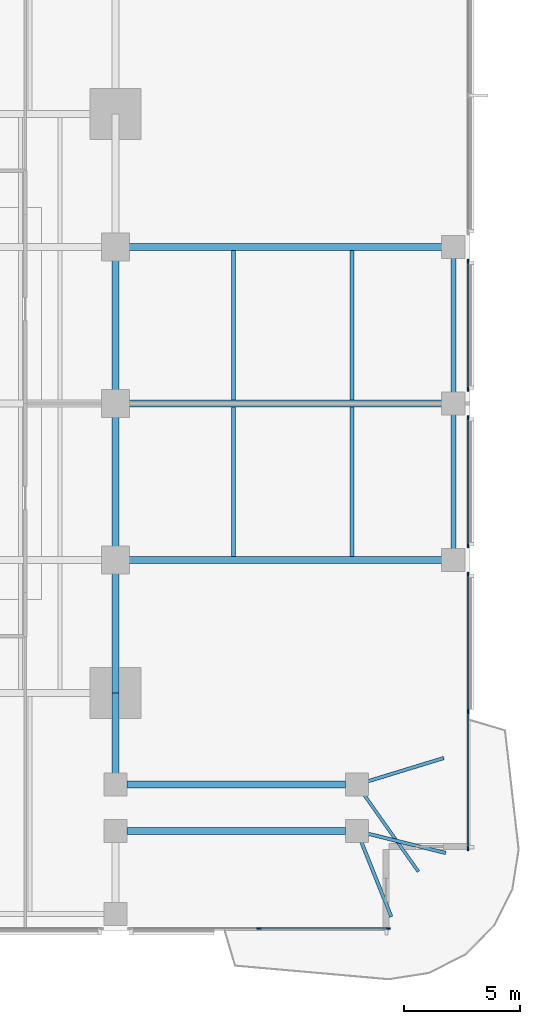
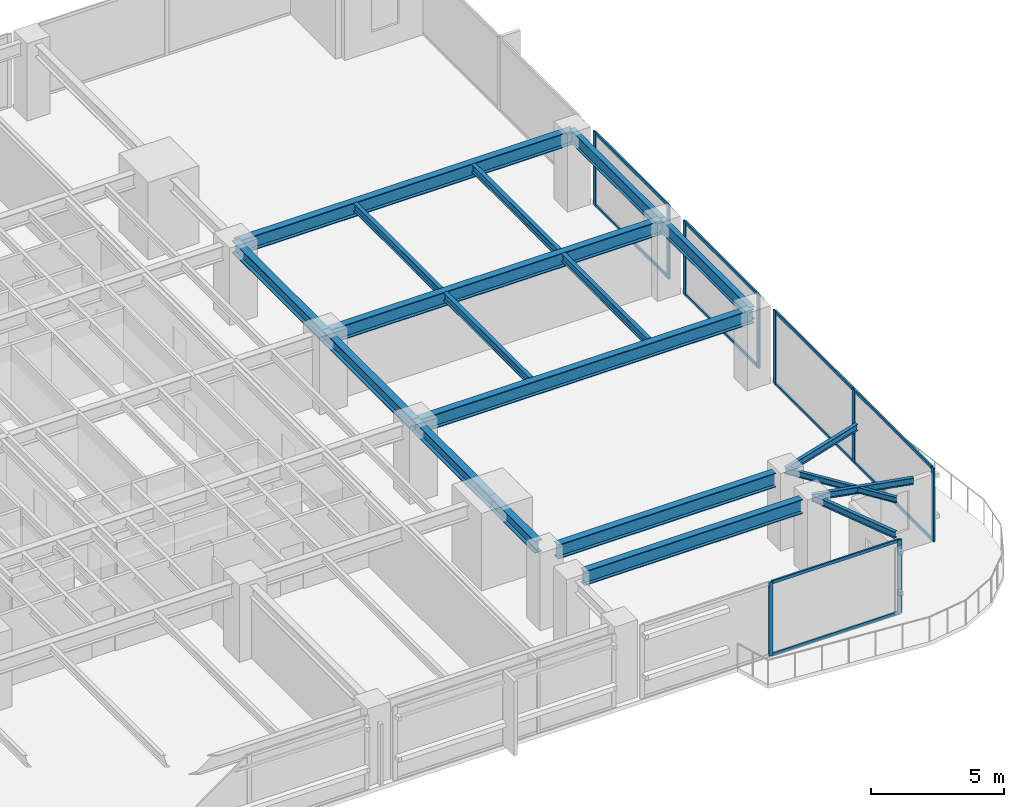
# One storey, part 4 of 15: 19 beams, 19 members, 4 elements without a shape of their own.
"""IFC4 building model written with IfcOpenShell, lengths in metres."""

from ifc_helpers import new_model, si_unit, direction, frame, origin, origin_2d, place, context, subcontext, project, spatial, rectangle, i_section, extrude, material, layer, layer_set, material_profile, profile_set, type_object, element, aggregate, save


model = new_model("IFC4")

# Units and contexts
model_context = context("Model", 3, precision=1e-05, world=origin(), true_north=direction((0.0, 1.0)))
body_context = subcontext(model_context, "Body", "Model", "MODEL_VIEW")
ifc_project = project(units=[si_unit("LENGTHUNIT", "METRE"), si_unit("AREAUNIT", "SQUARE_METRE"), si_unit("VOLUMEUNIT", "CUBIC_METRE"), si_unit("PLANEANGLEUNIT", "RADIAN"), si_unit("MASSUNIT", "GRAM", prefix="KILO")], contexts=[model_context])

# Site, building, storey
site_placement = place(None, origin())
site = spatial("IfcSite", under=ifc_project, at=site_placement, CompositionType="ELEMENT")
building_placement = place(site_placement, origin())
building = spatial("IfcBuilding", under=site, at=building_placement, Name="Kinhvarn Gate Tower", CompositionType="ELEMENT")
storey_placement = place(building_placement, frame((0.0, 0.0, 39.800048828125)))
storey = spatial("IfcBuildingStorey", under=building, at=storey_placement, Name="L09", CompositionType="ELEMENT", Elevation=39.800048828125)

# Curtain wall, members
ifc_material_1 = material(Name="Anodised aluminium AW-6063", Category="aluminium")
ifc_layer = layer(ifc_material_1, 0.179931640625)
ifc_layer_set = layer_set([ifc_layer], Name="Anodised aluminium AW-6063")
curtain_wall_type = type_object("IfcCurtainWallType", Name="CW-SYS-2", PredefinedType="NOTDEFINED", material=ifc_layer_set)
curtain_wall_1_placement = place(storey_placement, origin())
curtain_wall_1 = element("IfcCurtainWall", 1, at=curtain_wall_1_placement, inside=storey, type_object=curtain_wall_type, Name="Curtain Wall CW2 (L09)", PredefinedType="NOTDEFINED")
ifc_material_profile_1 = material_profile(ifc_material_1, rectangle(XDim=0.070068359375, YDim=0.179931640625, at=origin_2d()), Name="ALU 70x180")
ifc_profile_set_1 = profile_set([ifc_material_profile_1], Name="Anodised aluminium AW-6063")
member_type_1 = type_object("IfcMemberType", Name="CW-MUL-180", PredefinedType="MULLION", material=ifc_profile_set_1)
member_1_placement = place(storey_placement, frame((44.389892578125, 2.590087890625, 0.0), z_axis=(0.0, 0.0, 1.0), x_axis=(0.0, 1.0, 0.0)))
member_1 = element("IfcMember", 2, at=member_1_placement, type_object=member_type_1, Name="CW2 mullion 2", PredefinedType="MULLION", context=body_context, shape_type="SweptSolid", body=[
    extrude(rectangle(XDim=0.070068359375, YDim=0.179931640625, at=origin_2d()), origin(), (0.0, 0.0, 1.0), 3.369873046875),
])
member_2_placement = place(storey_placement, frame((49.965087890625, 2.590087890625, 0.0), z_axis=(0.0, 0.0, 1.0), x_axis=(0.0, 1.0, 0.0)))
member_2 = element("IfcMember", 3, at=member_2_placement, type_object=member_type_1, Name="CW2 mullion 3", PredefinedType="MULLION", context=body_context, shape_type="SweptSolid", body=[
    extrude(rectangle(XDim=0.070068359375, YDim=0.179931640625, at=origin_2d()), origin(), (0.0, 0.0, 1.0), 3.369873046875),
])

curtain_wall_2_placement = place(storey_placement, origin())
curtain_wall_2 = element("IfcCurtainWall", 4, at=curtain_wall_2_placement, inside=storey, type_object=curtain_wall_type, Name="Curtain Wall CW2 (L09)", PredefinedType="NOTDEFINED")
member_3_placement = place(storey_placement, frame((53.409912109375, 6.034912109375, 0.0), z_axis=(0.0, 0.0, 1.0), x_axis=(-1.0, 0.0, 0.0)))
member_3 = element("IfcMember", 5, at=member_3_placement, type_object=member_type_1, Name="CW2 mullion 1", PredefinedType="MULLION", context=body_context, shape_type="SweptSolid", body=[
    extrude(rectangle(XDim=0.070068359375, YDim=0.179931640625, at=origin_2d()), origin(), (0.0, 0.0, 1.0), 3.369873046875),
])
member_4_placement = place(storey_placement, frame((53.409912109375, 11.9599609375, 0.0), z_axis=(0.0, 0.0, 1.0), x_axis=(-1.0, 0.0, 0.0)))
member_4 = element("IfcMember", 6, at=member_4_placement, type_object=member_type_1, Name="CW2 mullion 2", PredefinedType="MULLION", context=body_context, shape_type="SweptSolid", body=[
    extrude(rectangle(XDim=0.070068359375, YDim=0.179931640625, at=origin_2d()), origin(), (0.0, 0.0, 1.0), 3.369873046875),
])
member_5_placement = place(storey_placement, frame((53.409912109375, 17.885009765625, 0.0), z_axis=(0.0, 0.0, 1.0), x_axis=(-1.0, 0.0, 0.0)))
member_5 = element("IfcMember", 7, at=member_5_placement, type_object=member_type_1, Name="CW2 mullion 3", PredefinedType="MULLION", context=body_context, shape_type="SweptSolid", body=[
    extrude(rectangle(XDim=0.070068359375, YDim=0.179931640625, at=origin_2d()), origin(), (0.0, 0.0, 1.0), 3.369873046875),
])

curtain_wall_3_placement = place(storey_placement, origin())
curtain_wall_3 = element("IfcCurtainWall", 8, at=curtain_wall_3_placement, inside=storey, type_object=curtain_wall_type, Name="Curtain Wall CW2 (L09)", PredefinedType="NOTDEFINED")
member_6_placement = place(storey_placement, frame((53.409912109375, 19.114990234375, 0.0), z_axis=(0.0, 0.0, 1.0), x_axis=(-1.0, 0.0, 0.0)))
member_6 = element("IfcMember", 9, at=member_6_placement, type_object=member_type_1, Name="CW2 mullion 1", PredefinedType="MULLION", context=body_context, shape_type="SweptSolid", body=[
    extrude(rectangle(XDim=0.070068359375, YDim=0.179931640625, at=origin_2d()), origin(), (0.0, 0.0, 1.0), 3.369873046875),
])
member_7_placement = place(storey_placement, frame((53.409912109375, 24.635009765625, 0.0), z_axis=(0.0, 0.0, 1.0), x_axis=(-1.0, 0.0, 0.0)))
member_7 = element("IfcMember", 10, at=member_7_placement, type_object=member_type_1, Name="CW2 mullion 2", PredefinedType="MULLION", context=body_context, shape_type="SweptSolid", body=[
    extrude(rectangle(XDim=0.070068359375, YDim=0.179931640625, at=origin_2d()), origin(), (0.0, 0.0, 1.0), 3.369873046875),
])

curtain_wall_4_placement = place(storey_placement, origin())
curtain_wall_4 = element("IfcCurtainWall", 11, at=curtain_wall_4_placement, inside=storey, type_object=curtain_wall_type, Name="Curtain Wall CW2 (L09)", PredefinedType="NOTDEFINED")
member_8_placement = place(storey_placement, frame((53.409912109375, 25.864990234375, 0.0), z_axis=(0.0, 0.0, 1.0), x_axis=(-1.0, 0.0, 0.0)))
member_8 = element("IfcMember", 12, at=member_8_placement, type_object=member_type_1, Name="CW2 mullion 1", PredefinedType="MULLION", context=body_context, shape_type="SweptSolid", body=[
    extrude(rectangle(XDim=0.070068359375, YDim=0.179931640625, at=origin_2d()), origin(), (0.0, 0.0, 1.0), 3.369873046875),
])
member_9_placement = place(storey_placement, frame((53.409912109375, 31.385009765625, 0.0), z_axis=(0.0, 0.0, 1.0), x_axis=(-1.0, 0.0, 0.0)))
member_9 = element("IfcMember", 13, at=member_9_placement, type_object=member_type_1, Name="CW2 mullion 2", PredefinedType="MULLION", context=body_context, shape_type="SweptSolid", body=[
    extrude(rectangle(XDim=0.070068359375, YDim=0.179931640625, at=origin_2d()), origin(), (0.0, 0.0, 1.0), 3.369873046875),
])

# Member
ifc_material_profile_2 = material_profile(ifc_material_1, rectangle(XDim=0.070068359375, YDim=0.139892578125, at=origin_2d()), Name="ALU 70x140")
ifc_profile_set_2 = profile_set([ifc_material_profile_2], Name="Anodised aluminium AW-6063")
member_type_2 = type_object("IfcMemberType", Name="CW-TRN-140", PredefinedType="USERDEFINED", material=ifc_profile_set_2)
member_10_placement = place(storey_placement, frame((44.425048828125, 2.590087890625, 0.034912109375), z_axis=(1.0, 0.0, 0.0), x_axis=(0.0, 1.0, 0.0)))
member_10 = element("IfcMember", 14, at=member_10_placement, type_object=member_type_2, Name="CW2 transom 2.1", ObjectType="TRANSOM", PredefinedType="USERDEFINED", context=body_context, shape_type="SweptSolid", body=[
    extrude(rectangle(XDim=0.070068359375, YDim=0.139892578125, at=origin_2d()), origin(), (0.0, 0.0, 1.0), 5.5048828125),
])

member_11_placement = place(storey_placement, frame((44.425048828125, 2.590087890625, 3.3349609375), z_axis=(1.0, 0.0, 0.0), x_axis=(0.0, 1.0, 0.0)))
member_11 = element("IfcMember", 15, at=member_11_placement, type_object=member_type_2, Name="CW2 transom 2.2", ObjectType="TRANSOM", PredefinedType="USERDEFINED", context=body_context, shape_type="SweptSolid", body=[
    extrude(rectangle(XDim=0.070068359375, YDim=0.139892578125, at=origin_2d()), origin(), (0.0, 0.0, 1.0), 5.5048828125),
])

aggregate(curtain_wall_1, [member_1, member_2, member_10, member_11])

member_12_placement = place(storey_placement, frame((53.409912109375, 6.070068359375, 0.034912109375), z_axis=(0.0, 1.0, 0.0), x_axis=(-1.0, 0.0, 0.0)))
member_12 = element("IfcMember", 16, at=member_12_placement, type_object=member_type_2, Name="CW2 transom 1.1", ObjectType="TRANSOM", PredefinedType="USERDEFINED", context=body_context, shape_type="SweptSolid", body=[
    extrude(rectangle(XDim=0.070068359375, YDim=0.139892578125, at=origin_2d()), origin(), (0.0, 0.0, 1.0), 5.85498046875),
])

member_13_placement = place(storey_placement, frame((53.409912109375, 6.070068359375, 3.3349609375), z_axis=(0.0, 1.0, 0.0), x_axis=(-1.0, 0.0, 0.0)))
member_13 = element("IfcMember", 17, at=member_13_placement, type_object=member_type_2, Name="CW2 transom 1.2", ObjectType="TRANSOM", PredefinedType="USERDEFINED", context=body_context, shape_type="SweptSolid", body=[
    extrude(rectangle(XDim=0.070068359375, YDim=0.139892578125, at=origin_2d()), origin(), (0.0, 0.0, 1.0), 5.85498046875),
])

member_14_placement = place(storey_placement, frame((53.409912109375, 11.9951171875, 0.034912109375), z_axis=(0.0, 1.0, 0.0), x_axis=(-1.0, 0.0, 0.0)))
member_14 = element("IfcMember", 18, at=member_14_placement, type_object=member_type_2, Name="CW2 transom 2.1", ObjectType="TRANSOM", PredefinedType="USERDEFINED", context=body_context, shape_type="SweptSolid", body=[
    extrude(rectangle(XDim=0.070068359375, YDim=0.139892578125, at=origin_2d()), origin(), (0.0, 0.0, 1.0), 5.85498046875),
])

member_15_placement = place(storey_placement, frame((53.409912109375, 11.9951171875, 3.3349609375), z_axis=(0.0, 1.0, 0.0), x_axis=(-1.0, 0.0, 0.0)))
member_15 = element("IfcMember", 19, at=member_15_placement, type_object=member_type_2, Name="CW2 transom 2.2", ObjectType="TRANSOM", PredefinedType="USERDEFINED", context=body_context, shape_type="SweptSolid", body=[
    extrude(rectangle(XDim=0.070068359375, YDim=0.139892578125, at=origin_2d()), origin(), (0.0, 0.0, 1.0), 5.85498046875),
])

aggregate(curtain_wall_2, [member_3, member_4, member_5, member_12, member_13, member_14, member_15])

member_16_placement = place(storey_placement, frame((53.409912109375, 19.14990234375, 0.034912109375), z_axis=(0.0, 1.0, 0.0), x_axis=(-1.0, 0.0, 0.0)))
member_16 = element("IfcMember", 20, at=member_16_placement, type_object=member_type_2, Name="CW2 transom 1.1", ObjectType="TRANSOM", PredefinedType="USERDEFINED", context=body_context, shape_type="SweptSolid", body=[
    extrude(rectangle(XDim=0.070068359375, YDim=0.139892578125, at=origin_2d()), origin(), (0.0, 0.0, 1.0), 5.4501953125),
])

member_17_placement = place(storey_placement, frame((53.409912109375, 19.14990234375, 3.3349609375), z_axis=(0.0, 1.0, 0.0), x_axis=(-1.0, 0.0, 0.0)))
member_17 = element("IfcMember", 21, at=member_17_placement, type_object=member_type_2, Name="CW2 transom 1.2", ObjectType="TRANSOM", PredefinedType="USERDEFINED", context=body_context, shape_type="SweptSolid", body=[
    extrude(rectangle(XDim=0.070068359375, YDim=0.139892578125, at=origin_2d()), origin(), (0.0, 0.0, 1.0), 5.4501953125),
])

aggregate(curtain_wall_3, [member_6, member_7, member_16, member_17])

member_18_placement = place(storey_placement, frame((53.409912109375, 25.89990234375, 0.034912109375), z_axis=(0.0, 1.0, 0.0), x_axis=(-1.0, 0.0, 0.0)))
member_18 = element("IfcMember", 22, at=member_18_placement, type_object=member_type_2, Name="CW2 transom 1.1", ObjectType="TRANSOM", PredefinedType="USERDEFINED", context=body_context, shape_type="SweptSolid", body=[
    extrude(rectangle(XDim=0.070068359375, YDim=0.139892578125, at=origin_2d()), origin(), (0.0, 0.0, 1.0), 5.4501953125),
])

member_19_placement = place(storey_placement, frame((53.409912109375, 25.89990234375, 3.3349609375), z_axis=(0.0, 1.0, 0.0), x_axis=(-1.0, 0.0, 0.0)))
member_19 = element("IfcMember", 23, at=member_19_placement, type_object=member_type_2, Name="CW2 transom 1.2", ObjectType="TRANSOM", PredefinedType="USERDEFINED", context=body_context, shape_type="SweptSolid", body=[
    extrude(rectangle(XDim=0.070068359375, YDim=0.139892578125, at=origin_2d()), origin(), (0.0, 0.0, 1.0), 5.4501953125),
])

aggregate(curtain_wall_4, [member_8, member_9, member_18, member_19])

# Beams
ifc_material_2 = material(Name="Steel S355", Category="steel")
ifc_material_profile_3 = material_profile(ifc_material_2, i_section(OverallWidth=0.300048828125, OverallDepth=0.550048828125, WebThickness=0.014892578125, FlangeThickness=0.029052734375, at=origin_2d()), Name="HEB 550")
ifc_profile_set_3 = profile_set([ifc_material_profile_3], Name="Steel S355")
beam_type_1 = type_object("IfcBeamType", Name="STL-HEB550", PredefinedType="BEAM", material=ifc_profile_set_3)
beam_1_placement = place(storey_placement, frame((38.199951171875, 9.284912109375, 3.094970703125), z_axis=(0.0, 1.0, 0.0), x_axis=(-1.0, 0.0, 0.0)))
element("IfcBeam", 24, at=beam_1_placement, inside=storey, type_object=beam_type_1, Name="Floor Beam PG-15 (L09 MCE-S-A2)", PredefinedType="BEAM", context=body_context, shape_type="SweptSolid", body=[
    extrude(i_section(OverallWidth=0.300048828125, OverallDepth=0.550048828125, WebThickness=0.014892578125, FlangeThickness=0.029052734375, at=origin_2d()), origin(), (0.0, 0.0, 1.0), 3.465087890625),
])
beam_2_placement = place(storey_placement, frame((38.199951171875, 12.75, 3.094970703125), z_axis=(0.0, 1.0, 0.0), x_axis=(-1.0, 0.0, 0.0)))
element("IfcBeam", 25, at=beam_2_placement, inside=storey, type_object=beam_type_1, Name="Floor Beam PG-15 (L09 MG-E-12)", PredefinedType="BEAM", context=body_context, shape_type="SweptSolid", body=[
    extrude(i_section(OverallWidth=0.300048828125, OverallDepth=0.550048828125, WebThickness=0.014892578125, FlangeThickness=0.029052734375, at=origin_2d()), origin(), (0.0, 0.0, 1.0), 5.75),
])
for number, where, z_axis, x_axis, name in (
    (26, (38.199951171875, 18.5, 3.094970703125), (0.0, 1.0, 0.0), (-1.0, 0.0, 0.0), "Floor Beam PG-15 (L09 MG-E-18)"),
    (27, (38.199951171875, 25.25, 3.094970703125), (0.0, 1.0, 0.0), (-1.0, 0.0, 0.0), "Floor Beam PG-15 (L09 MG-E-25)"),
):
    element("IfcBeam", number, at=place(storey_placement, frame(where, z_axis=z_axis, x_axis=x_axis)), inside=storey, type_object=beam_type_1, Name=name, PredefinedType="BEAM", context=body_context, shape_type="SweptSolid", body=[
        extrude(i_section(OverallWidth=0.300048828125, OverallDepth=0.550048828125, WebThickness=0.014892578125, FlangeThickness=0.029052734375, at=origin_2d()), origin(), (0.0, 0.0, 1.0), 6.75),
    ])
ifc_material_profile_4 = material_profile(ifc_material_2, i_section(OverallWidth=0.300048828125, OverallDepth=0.64990234375, WebThickness=0.01611328125, FlangeThickness=0.031005859375, at=origin_2d()), Name="HEB 650")
ifc_profile_set_4 = profile_set([ifc_material_profile_4], Name="Steel S355")
beam_type_2 = type_object("IfcBeamType", Name="STL-HEB650", PredefinedType="BEAM", material=ifc_profile_set_4)
for number, where, z_axis, x_axis, name in (
    (28, (38.68505859375, 8.800048828125, 3.044921875), (1.0, 0.0, 0.0), (0.0, 1.0, 0.0), "Floor Beam PG-17 (L09 SP-SE1B)"),
    (29, (38.68505859375, 6.800048828125, 3.044921875), (1.0, 0.0, 0.0), (0.0, 1.0, 0.0), "Floor Beam PG-17 (L09 SP-SE1A)"),
):
    element("IfcBeam", number, at=place(storey_placement, frame(where, z_axis=z_axis, x_axis=x_axis)), inside=storey, type_object=beam_type_2, Name=name, PredefinedType="BEAM", context=body_context, shape_type="SweptSolid", body=[
        extrude(i_section(OverallWidth=0.300048828125, OverallDepth=0.64990234375, WebThickness=0.01611328125, FlangeThickness=0.031005859375, at=origin_2d()), origin(), (0.0, 0.0, 1.0), 9.449951171875),
    ])
for number, where, z_axis, x_axis, name in (
    (30, (38.199951171875, 18.5, 3.044921875), (1.0, 0.0, 0.0), (0.0, 1.0, 0.0), "Floor Beam PG-17 (L09 EW2-Y18)"),
    (31, (38.199951171875, 25.25, 3.044921875), (1.0, 0.0, 0.0), (0.0, 1.0, 0.0), "Floor Beam PG-17 (L09 EW2-Y25)"),
    (32, (38.199951171875, 32.0, 3.044921875), (1.0, 0.0, 0.0), (0.0, 1.0, 0.0), "Floor Beam PG-17 (L09 EW2-Y32)"),
):
    element("IfcBeam", number, at=place(storey_placement, frame(where, z_axis=z_axis, x_axis=x_axis)), inside=storey, type_object=beam_type_2, Name=name, PredefinedType="BEAM", context=body_context, shape_type="SweptSolid", body=[
        extrude(i_section(OverallWidth=0.300048828125, OverallDepth=0.64990234375, WebThickness=0.01611328125, FlangeThickness=0.031005859375, at=origin_2d()), origin(), (0.0, 0.0, 1.0), 14.580078125),
    ])
ifc_material_profile_5 = material_profile(ifc_material_2, i_section(OverallWidth=0.135009765625, OverallDepth=0.27001953125, WebThickness=0.006591796875, FlangeThickness=0.01025390625, at=origin_2d()), Name="IPE 270")
ifc_profile_set_5 = profile_set([ifc_material_profile_5], Name="Steel S355")
beam_type_3 = type_object("IfcBeamType", Name="STL-IPE270", PredefinedType="JOIST", material=ifc_profile_set_5)
beam_3_placement = place(storey_placement, frame((48.6201171875, 8.800048828125, 3.23486328125), z_axis=(0.57709644225, -0.81667600451, 0.0), x_axis=(0.81667600451, 0.57709644225, 0.0)))
element("IfcBeam", 33, at=beam_3_placement, inside=storey, type_object=beam_type_3, Name="Floor Joist SB-01 (L09 BAL-B3-L10)", PredefinedType="JOIST", context=body_context, shape_type="SweptSolid", body=[
    extrude(i_section(OverallWidth=0.135009765625, OverallDepth=0.27001953125, WebThickness=0.006591796875, FlangeThickness=0.01025390625, at=origin_2d()), origin(), (0.0, 0.0, 1.0), 4.591796875),
])
ifc_material_profile_6 = material_profile(ifc_material_2, i_section(OverallWidth=0.14990234375, OverallDepth=0.300048828125, WebThickness=0.007080078125, FlangeThickness=0.0107421875, at=origin_2d()), Name="IPE 300")
ifc_profile_set_6 = profile_set([ifc_material_profile_6], Name="Steel S355")
beam_type_4 = type_object("IfcBeamType", Name="STL-IPE300", PredefinedType="JOIST", material=ifc_profile_set_6)
beam_4_placement = place(storey_placement, frame((48.6201171875, 6.800048828125, 3.219970703125), z_axis=(0.97058851083, -0.240744558911, 0.0), x_axis=(0.240744558911, 0.97058851083, 0.0)))
element("IfcBeam", 34, at=beam_4_placement, inside=storey, type_object=beam_type_4, Name="Floor Joist SB-02 (L09 BAL-B1-L10)", PredefinedType="JOIST", context=body_context, shape_type="SweptSolid", body=[
    extrude(i_section(OverallWidth=0.14990234375, OverallDepth=0.300048828125, WebThickness=0.007080078125, FlangeThickness=0.0107421875, at=origin_2d()), origin(), (0.0, 0.0, 1.0), 3.94580078125),
])
beam_5_placement = place(storey_placement, frame((48.6201171875, 6.800048828125, 3.219970703125), z_axis=(0.371390676354, -0.928476690885, 0.0), x_axis=(0.928476690885, 0.371390676354, 0.0)))
element("IfcBeam", 35, at=beam_5_placement, inside=storey, type_object=beam_type_4, Name="Floor Joist SB-02 (L09 BAL-B2-L10)", PredefinedType="JOIST", context=body_context, shape_type="SweptSolid", body=[
    extrude(i_section(OverallWidth=0.14990234375, OverallDepth=0.300048828125, WebThickness=0.007080078125, FlangeThickness=0.0107421875, at=origin_2d()), origin(), (0.0, 0.0, 1.0), 3.98486328125),
])
beam_6_placement = place(storey_placement, frame((48.6201171875, 8.800048828125, 3.219970703125), z_axis=(0.95606118681, 0.293167199862, 0.0), x_axis=(-0.293167199862, 0.95606118681, 0.0)))
element("IfcBeam", 36, at=beam_6_placement, inside=storey, type_object=beam_type_4, Name="Floor Joist SB-02 (L09 BAL-B5-L10)", PredefinedType="JOIST", context=body_context, shape_type="SweptSolid", body=[
    extrude(i_section(OverallWidth=0.14990234375, OverallDepth=0.300048828125, WebThickness=0.007080078125, FlangeThickness=0.0107421875, at=origin_2d()), origin(), (0.0, 0.0, 1.0), 3.92236328125),
])
ifc_material_profile_7 = material_profile(ifc_material_2, i_section(OverallWidth=0.169921875, OverallDepth=0.360107421875, WebThickness=0.008056640625, FlangeThickness=0.0126953125, at=origin_2d()), Name="IPE 360")
ifc_profile_set_7 = profile_set([ifc_material_profile_7], Name="Steel S355")
beam_type_5 = type_object("IfcBeamType", Name="STL-IPE360", PredefinedType="JOIST", material=ifc_profile_set_7)
for number, where, z_axis, x_axis, name in (
    (37, (43.300048828125, 18.64990234375, 3.18994140625), (0.0, 1.0, 0.0), (-1.0, 0.0, 0.0), "Floor Joist SB-04 (L09 JC-X433-1)"),
    (38, (43.300048828125, 25.39990234375, 3.18994140625), (0.0, 1.0, 0.0), (-1.0, 0.0, 0.0), "Floor Joist SB-04 (L09 JC-X433-2)"),
    (39, (48.409912109375, 18.64990234375, 3.18994140625), (0.0, 1.0, 0.0), (-1.0, 0.0, 0.0), "Floor Joist SB-04 (L09 JC-X484-1)"),
    (40, (48.409912109375, 25.39990234375, 3.18994140625), (0.0, 1.0, 0.0), (-1.0, 0.0, 0.0), "Floor Joist SB-04 (L09 JC-X484-2)"),
):
    element("IfcBeam", number, at=place(storey_placement, frame(where, z_axis=z_axis, x_axis=x_axis)), inside=storey, type_object=beam_type_5, Name=name, PredefinedType="JOIST", context=body_context, shape_type="SweptSolid", body=[
        extrude(i_section(OverallWidth=0.169921875, OverallDepth=0.360107421875, WebThickness=0.008056640625, FlangeThickness=0.0126953125, at=origin_2d()), origin(), (0.0, 0.0, 1.0), 6.4501953125),
    ])
ifc_material_profile_8 = material_profile(ifc_material_2, i_section(OverallWidth=0.219970703125, OverallDepth=0.60009765625, WebThickness=0.011962890625, FlangeThickness=0.01904296875, at=origin_2d()), Name="IPE 600")
ifc_profile_set_8 = profile_set([ifc_material_profile_8], Name="Steel S355")
beam_type_6 = type_object("IfcBeamType", Name="STL-IPE600", PredefinedType="SPANDREL", material=ifc_profile_set_8)
for number, where, z_axis, x_axis, name in (
    (41, (52.780029296875, 18.5, 3.070068359375), (0.0, 1.0, 0.0), (-1.0, 0.0, 0.0), "Floor Spandrel SB-09 (L09 SP-E2)"),
    (42, (52.780029296875, 25.25, 3.070068359375), (0.0, 1.0, 0.0), (-1.0, 0.0, 0.0), "Floor Spandrel SB-09 (L09 SP-E3)"),
):
    element("IfcBeam", number, at=place(storey_placement, frame(where, z_axis=z_axis, x_axis=x_axis)), inside=storey, type_object=beam_type_6, Name=name, PredefinedType="SPANDREL", context=body_context, shape_type="SweptSolid", body=[
        extrude(i_section(OverallWidth=0.219970703125, OverallDepth=0.60009765625, WebThickness=0.011962890625, FlangeThickness=0.01904296875, at=origin_2d()), origin(), (0.0, 0.0, 1.0), 6.75),
    ])

save(model, "model.ifc")
